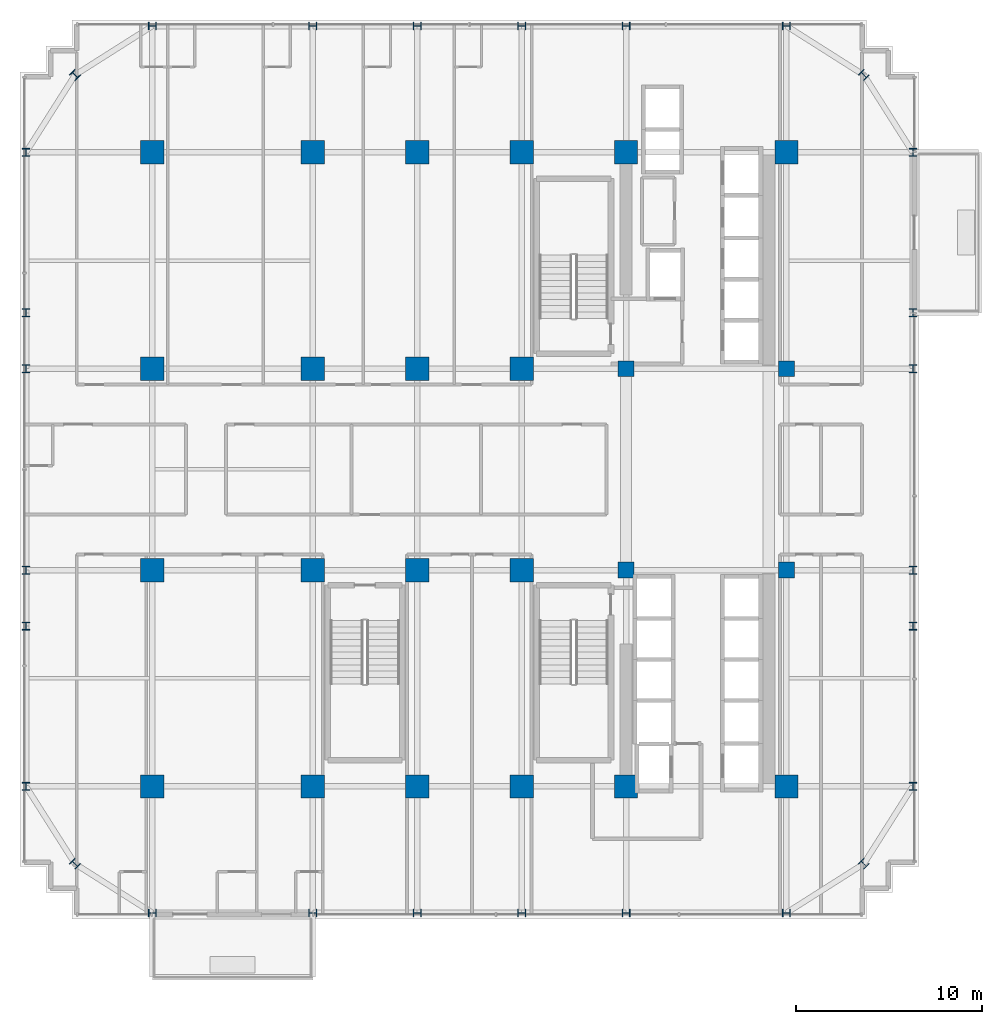
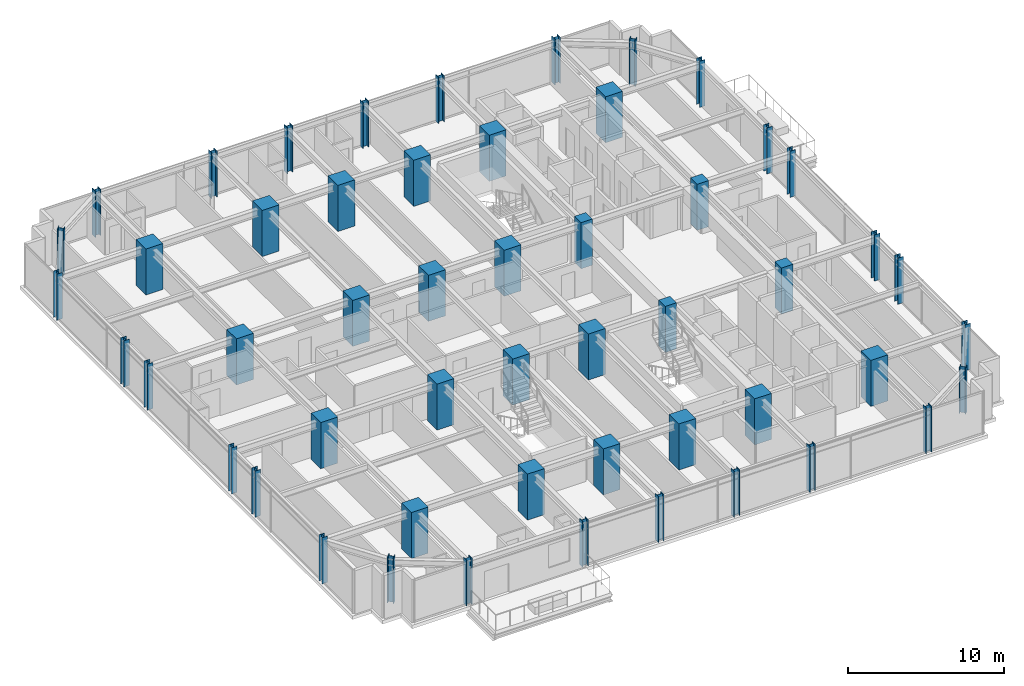
# One storey, part 1 of 32: 52 columns.
"""IFC4 building model written with IfcOpenShell, lengths in metres."""

from ifc_helpers import new_model, si_unit, direction, frame, origin, origin_2d, place, context, subcontext, project, spatial, rectangle, i_section, extrude, source, transform, mapped, material, material_profile, profile_set, type_object, element, save


model = new_model("IFC4")

# Units and contexts
model_context = context("Model", 3, precision=1e-05, world=origin(), true_north=direction((0.0, 1.0)))
body_context = subcontext(model_context, "Body", "Model", "MODEL_VIEW")
ifc_project = project(units=[si_unit("LENGTHUNIT", "METRE"), si_unit("AREAUNIT", "SQUARE_METRE"), si_unit("VOLUMEUNIT", "CUBIC_METRE"), si_unit("PLANEANGLEUNIT", "RADIAN"), si_unit("MASSUNIT", "GRAM", prefix="KILO")], contexts=[model_context])

# Site, building, storey
site_placement = place(None, origin())
site = spatial("IfcSite", under=ifc_project, at=site_placement, CompositionType="ELEMENT")
building_placement = place(site_placement, origin())
building = spatial("IfcBuilding", under=site, at=building_placement, Name="Nahalor Promenade Grand Hotel", CompositionType="ELEMENT")
storey_placement = place(building_placement, frame((0.0, 0.0, 102.89990234375)))
storey = spatial("IfcBuildingStorey", under=building, at=storey_placement, Name="L25", CompositionType="ELEMENT", Elevation=102.89990234375)

# Columns
ifc_material_1 = material(Name="Concrete B-70 (C60/75)", Category="concrete")
ifc_material_profile_1 = material_profile(ifc_material_1, rectangle(XDim=0.85, YDim=0.85, at=origin_2d()), Name="RC 850x850")
ifc_profile_set_1 = profile_set([ifc_material_profile_1], Name="Concrete B-70 (C60/75)")
column_type_1 = type_object("IfcColumnType", Name="Col-Pilaster-850", PredefinedType="PILASTER", material=ifc_profile_set_1)
shared_shape_1 = source(origin(), body_context, "Body", "SweptSolid", [
    extrude(rectangle(XDim=0.85, YDim=0.85, at=origin_2d()), origin(), (0.0, 0.0, 1.0), 3.60498046875),
])
for number, where, z_axis, x_axis, name in (
    (1, (8.39990234375, -5.39990234375, 0.0), (0.0, 0.0, 1.0), (1.0, 0.0, 0.0), "COL-L25-I41"),
    (2, (8.39990234375, 5.39990234375, 0.0), (0.0, 0.0, 1.0), (1.0, 0.0, 0.0), "COL-L25-I42"),
    (3, (17.0, -5.39990234375, 0.0), (0.0, 0.0, 1.0), (1.0, 0.0, 0.0), "COL-L25-I51"),
    (4, (17.0, 5.39990234375, 0.0), (0.0, 0.0, 1.0), (1.0, 0.0, 0.0), "COL-L25-I52"),
):
    element("IfcColumn", number, at=place(storey_placement, frame(where, z_axis=z_axis, x_axis=x_axis)), inside=storey, type_object=column_type_1, Name=name, PredefinedType="PILASTER", context=body_context, shape_type="MappedRepresentation", body=[
        mapped(shared_shape_1, transform((0.0, 0.0, 0.0), scale=1.0)),
    ])
ifc_material_2 = material(Name="Concrete B-60 (C50/60)", Category="concrete")
ifc_material_profile_2 = material_profile(ifc_material_2, rectangle(XDim=1.25, YDim=1.25, at=origin_2d()), Name="RC 1250x1250")
ifc_profile_set_2 = profile_set([ifc_material_profile_2], Name="Concrete B-60 (C50/60)")
column_type_2 = type_object("IfcColumnType", Name="Col-RC-1250", PredefinedType="COLUMN", material=ifc_profile_set_2)
shared_shape_2 = source(origin(), body_context, "Body", "SweptSolid", [
    extrude(rectangle(XDim=1.25, YDim=1.25, at=origin_2d()), origin(), (0.0, 0.0, 1.0), 3.60498046875),
])
for number, where, z_axis, x_axis, name in (
    (5, (-17.0, -17.0, 0.0), (0.0, 0.0, 1.0), (1.0, 0.0, 0.0), "COL-L25-I00"),
    (6, (-17.0, -5.39990234375, 0.0), (0.0, 0.0, 1.0), (1.0, 0.0, 0.0), "COL-L25-I01"),
    (7, (-17.0, 5.39990234375, 0.0), (0.0, 0.0, 1.0), (1.0, 0.0, 0.0), "COL-L25-I02"),
    (8, (-17.0, 17.0, 0.0), (0.0, 0.0, 1.0), (1.0, 0.0, 0.0), "COL-L25-I03"),
    (9, (-8.39990234375, -17.0, 0.0), (0.0, 0.0, 1.0), (1.0, 0.0, 0.0), "COL-L25-I10"),
    (10, (-8.39990234375, -5.39990234375, 0.0), (0.0, 0.0, 1.0), (1.0, 0.0, 0.0), "COL-L25-I11"),
    (11, (-8.39990234375, 5.39990234375, 0.0), (0.0, 0.0, 1.0), (1.0, 0.0, 0.0), "COL-L25-I12"),
    (12, (-8.39990234375, 17.0, 0.0), (0.0, 0.0, 1.0), (1.0, 0.0, 0.0), "COL-L25-I13"),
    (13, (-2.800048828125, -17.0, 0.0), (0.0, 0.0, 1.0), (1.0, 0.0, 0.0), "COL-L25-I20"),
    (14, (-2.800048828125, -5.39990234375, 0.0), (0.0, 0.0, 1.0), (1.0, 0.0, 0.0), "COL-L25-I21"),
    (15, (-2.800048828125, 5.39990234375, 0.0), (0.0, 0.0, 1.0), (1.0, 0.0, 0.0), "COL-L25-I22"),
    (16, (-2.800048828125, 17.0, 0.0), (0.0, 0.0, 1.0), (1.0, 0.0, 0.0), "COL-L25-I23"),
    (17, (2.800048828125, -17.0, 0.0), (0.0, 0.0, 1.0), (1.0, 0.0, 0.0), "COL-L25-I30"),
    (18, (2.800048828125, -5.39990234375, 0.0), (0.0, 0.0, 1.0), (1.0, 0.0, 0.0), "COL-L25-I31"),
    (19, (2.800048828125, 5.39990234375, 0.0), (0.0, 0.0, 1.0), (1.0, 0.0, 0.0), "COL-L25-I32"),
    (20, (2.800048828125, 17.0, 0.0), (0.0, 0.0, 1.0), (1.0, 0.0, 0.0), "COL-L25-I33"),
    (21, (8.39990234375, -17.0, 0.0), (0.0, 0.0, 1.0), (1.0, 0.0, 0.0), "COL-L25-I40"),
    (22, (8.39990234375, 17.0, 0.0), (0.0, 0.0, 1.0), (1.0, 0.0, 0.0), "COL-L25-I43"),
    (23, (17.0, -17.0, 0.0), (0.0, 0.0, 1.0), (1.0, 0.0, 0.0), "COL-L25-I50"),
    (24, (17.0, 17.0, 0.0), (0.0, 0.0, 1.0), (1.0, 0.0, 0.0), "COL-L25-I53"),
):
    element("IfcColumn", number, at=place(storey_placement, frame(where, z_axis=z_axis, x_axis=x_axis)), inside=storey, type_object=column_type_2, Name=name, PredefinedType="COLUMN", context=body_context, shape_type="MappedRepresentation", body=[
        mapped(shared_shape_2, transform((0.0, 0.0, 0.0), scale=1.0)),
    ])
ifc_material_3 = material(Name="Steel S355J2", Category="steel")
ifc_material_profile_3 = material_profile(ifc_material_3, i_section(OverallWidth=0.409, OverallDepth=0.43, WebThickness=0.0208, FlangeThickness=0.0335, at=origin_2d()), Name="HD 400x421")
ifc_profile_set_3 = profile_set([ifc_material_profile_3], Name="Steel S355J2")
column_type_3 = type_object("IfcColumnType", Name="Col-Steel-HD421", PredefinedType="COLUMN", material=ifc_profile_set_3)
shared_shape_3 = source(origin(), body_context, "Body", "SweptSolid", [
    extrude(i_section(OverallWidth=0.409, OverallDepth=0.43, WebThickness=0.0208, FlangeThickness=0.0335, at=origin_2d()), origin(), (0.0, 0.0, 1.0), 3.60498046875),
])
for number, where, z_axis, x_axis, name in (
    (25, (-23.780029296875, -17.0, 0.0), (0.0, 0.0, 1.0), (1.0, 0.0, 0.0), "COL-L25-PW-W0"),
    (26, (23.780029296875, -17.0, 0.0), (0.0, 0.0, 1.0), (1.0, 0.0, 0.0), "COL-L25-PW-E0"),
    (27, (-23.780029296875, -8.39990234375, 0.0), (0.0, 0.0, 1.0), (1.0, 0.0, 0.0), "COL-L25-PW-W1"),
    (28, (23.780029296875, -8.39990234375, 0.0), (0.0, 0.0, 1.0), (1.0, 0.0, 0.0), "COL-L25-PW-E1"),
    (29, (-23.780029296875, -5.39990234375, 0.0), (0.0, 0.0, 1.0), (1.0, 0.0, 0.0), "COL-L25-PW-W2"),
    (30, (23.780029296875, -5.39990234375, 0.0), (0.0, 0.0, 1.0), (1.0, 0.0, 0.0), "COL-L25-PW-E2"),
    (31, (-23.780029296875, 5.39990234375, 0.0), (0.0, 0.0, 1.0), (1.0, 0.0, 0.0), "COL-L25-PW-W3"),
    (32, (23.780029296875, 5.39990234375, 0.0), (0.0, 0.0, 1.0), (1.0, 0.0, 0.0), "COL-L25-PW-E3"),
    (33, (-23.780029296875, 8.39990234375, 0.0), (0.0, 0.0, 1.0), (1.0, 0.0, 0.0), "COL-L25-PW-W4"),
    (34, (23.780029296875, 8.39990234375, 0.0), (0.0, 0.0, 1.0), (1.0, 0.0, 0.0), "COL-L25-PW-E4"),
    (35, (-23.780029296875, 17.0, 0.0), (0.0, 0.0, 1.0), (1.0, 0.0, 0.0), "COL-L25-PW-W5"),
    (36, (23.780029296875, 17.0, 0.0), (0.0, 0.0, 1.0), (1.0, 0.0, 0.0), "COL-L25-PW-E5"),
    (37, (-17.0, -23.780029296875, 0.0), (0.0, 0.0, 1.0), (0.0, 1.0, 0.0), "COL-L25-PN-S0"),
    (38, (-17.0, 23.780029296875, 0.0), (0.0, 0.0, 1.0), (0.0, 1.0, 0.0), "COL-L25-PN-N0"),
    (39, (-8.39990234375, -23.780029296875, 0.0), (0.0, 0.0, 1.0), (0.0, 1.0, 0.0), "COL-L25-PN-S1"),
    (40, (-8.39990234375, 23.780029296875, 0.0), (0.0, 0.0, 1.0), (0.0, 1.0, 0.0), "COL-L25-PN-N1"),
    (41, (-2.800048828125, -23.780029296875, 0.0), (0.0, 0.0, 1.0), (0.0, 1.0, 0.0), "COL-L25-PN-S2"),
    (42, (-2.800048828125, 23.780029296875, 0.0), (0.0, 0.0, 1.0), (0.0, 1.0, 0.0), "COL-L25-PN-N2"),
    (43, (2.800048828125, -23.780029296875, 0.0), (0.0, 0.0, 1.0), (0.0, 1.0, 0.0), "COL-L25-PN-S3"),
    (44, (2.800048828125, 23.780029296875, 0.0), (0.0, 0.0, 1.0), (0.0, 1.0, 0.0), "COL-L25-PN-N3"),
    (45, (8.39990234375, -23.780029296875, 0.0), (0.0, 0.0, 1.0), (0.0, 1.0, 0.0), "COL-L25-PN-S4"),
    (46, (8.39990234375, 23.780029296875, 0.0), (0.0, 0.0, 1.0), (0.0, 1.0, 0.0), "COL-L25-PN-N4"),
    (47, (17.0, -23.780029296875, 0.0), (0.0, 0.0, 1.0), (0.0, 1.0, 0.0), "COL-L25-PN-S5"),
    (48, (17.0, 23.780029296875, 0.0), (0.0, 0.0, 1.0), (0.0, 1.0, 0.0), "COL-L25-PN-N5"),
    (49, (-21.14990234375, -21.14990234375, 0.0), (0.0, 0.0, 1.0), (0.707106781187, 0.707106781187, 0.0), "COL-L25-CRN-SW"),
    (50, (-21.14990234375, 21.14990234375, 0.0), (0.0, 0.0, 1.0), (0.707106781187, 0.707106781187, 0.0), "COL-L25-CRN-NW"),
    (51, (21.14990234375, -21.14990234375, 0.0), (0.0, 0.0, 1.0), (0.707106781187, 0.707106781187, 0.0), "COL-L25-CRN-SE"),
    (52, (21.14990234375, 21.14990234375, 0.0), (0.0, 0.0, 1.0), (0.707106781187, 0.707106781187, 0.0), "COL-L25-CRN-NE"),
):
    element("IfcColumn", number, at=place(storey_placement, frame(where, z_axis=z_axis, x_axis=x_axis)), inside=storey, type_object=column_type_3, Name=name, PredefinedType="COLUMN", context=body_context, shape_type="MappedRepresentation", body=[
        mapped(shared_shape_3, transform((0.0, 0.0, 0.0), scale=1.0)),
    ])

save(model, "model.ifc")
